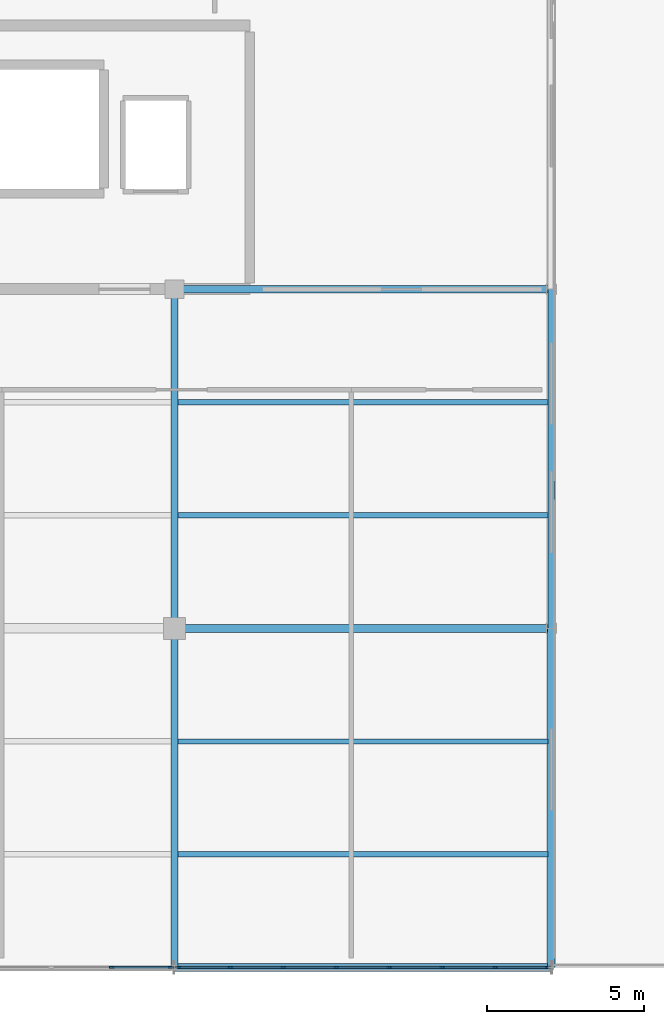
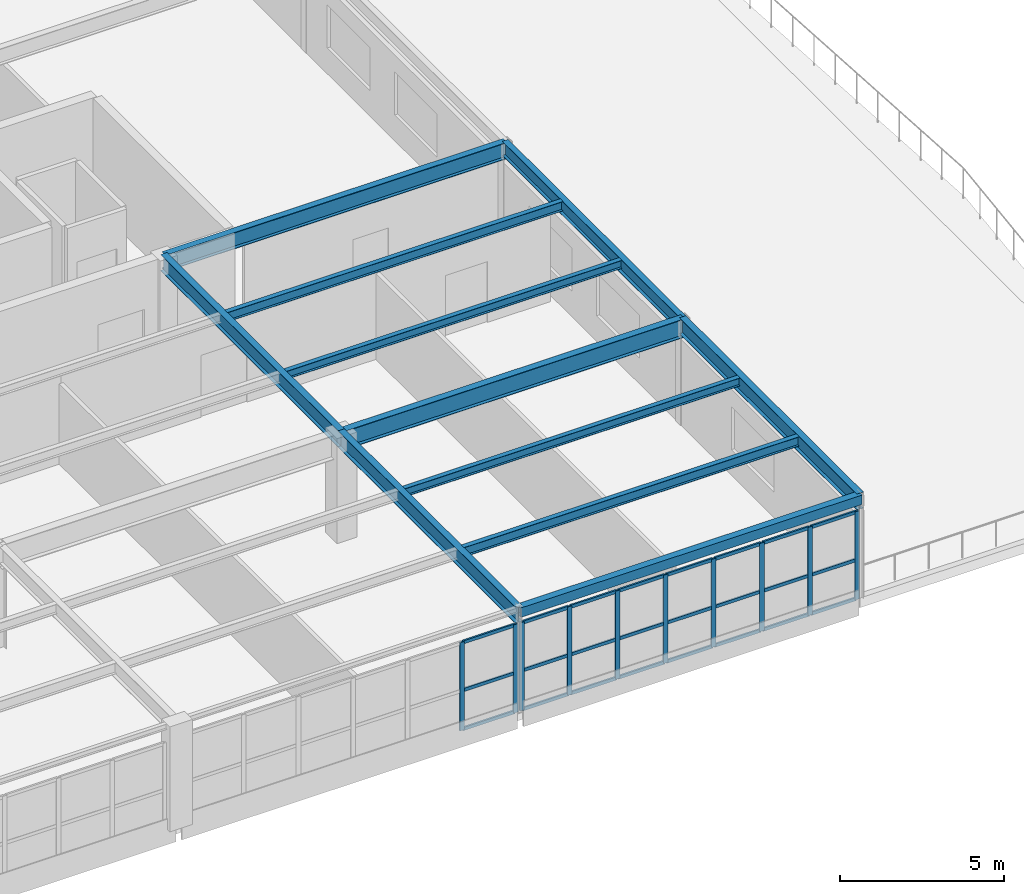
# One storey, part 55 of 128: 34 members, 11 beams, 2 elements without a shape of their own.
"""IFC4 building model written with IfcOpenShell, lengths in metres."""

from ifc_helpers import new_model, si_unit, direction, frame, origin, origin_2d, place, context, subcontext, project, spatial, rectangle, hollow_rectangle, i_section, extrude, material, layer, layer_set, material_profile, profile_set, type_object, element, aggregate, save


model = new_model("IFC4")

# Units and contexts
model_context = context("Model", 3, precision=1e-05, world=origin(), true_north=direction((0.0, 1.0)))
body_context = subcontext(model_context, "Body", "Model", "MODEL_VIEW")
ifc_project = project(units=[si_unit("LENGTHUNIT", "METRE"), si_unit("AREAUNIT", "SQUARE_METRE"), si_unit("VOLUMEUNIT", "CUBIC_METRE"), si_unit("PLANEANGLEUNIT", "RADIAN"), si_unit("MASSUNIT", "GRAM", prefix="KILO")], contexts=[model_context])

# Site, building, storey
site_placement = place(None, origin())
site = spatial("IfcSite", under=ifc_project, at=site_placement, CompositionType="ELEMENT")
building_placement = place(site_placement, origin())
building = spatial("IfcBuilding", under=site, at=building_placement, Name="Tarnwether General Hospital", CompositionType="ELEMENT")
storey_placement = place(building_placement, frame((0.0, 0.0, 14.39990234375)))
storey = spatial("IfcBuildingStorey", under=building, at=storey_placement, Name="L03", CompositionType="ELEMENT", Elevation=14.39990234375)

# Beams
ifc_material_1 = material(Name="Steel Grade 350 (350 MPa)", Category="steel")
ifc_material_profile_1 = material_profile(ifc_material_1, i_section(OverallWidth=0.25, OverallDepth=0.69189453125, WebThickness=0.009033203125, FlangeThickness=0.01611328125, at=origin_2d()), Name="700WB115")
ifc_profile_set_1 = profile_set([ifc_material_profile_1], Name="Steel Grade 350 (350 MPa)")
beam_type_1 = type_object("IfcBeamType", Name="BM-G02", PredefinedType="BEAM", material=ifc_profile_set_1)
beam_1_placement = place(storey_placement, frame((168.0, 10.800048828125, 3.55419921875), z_axis=(1.0, 0.0, 0.0), x_axis=(0.0, 1.0, 0.0)))
element("IfcBeam", 1, at=beam_1_placement, inside=storey, type_object=beam_type_1, Name="Primary Girder BMG-L03-16800_1080-18000_1080-1792", PredefinedType="BEAM", context=body_context, shape_type="SweptSolid", body=[
    extrude(i_section(OverallWidth=0.25, OverallDepth=0.69189453125, WebThickness=0.009033203125, FlangeThickness=0.01611328125, at=origin_2d()), origin(), (0.0, 0.0, 1.0), 12.0),
])
ifc_material_2 = material(Name="Steel Grade 350 (350 MPa)", Category="steel")
ifc_material_profile_2 = material_profile(ifc_material_2, i_section(OverallWidth=0.22900390625, OverallDepth=0.612060546875, WebThickness=0.011962890625, FlangeThickness=0.01953125, at=origin_2d()), Name="610UB125")
ifc_profile_set_2 = profile_set([ifc_material_profile_2], Name="Steel Grade 350 (350 MPa)")
beam_type_2 = type_object("IfcBeamType", Name="BM-G03", PredefinedType="BEAM", material=ifc_profile_set_2)
beam_2_placement = place(storey_placement, frame((168.0, 21.60009765625, 3.593994140625), z_axis=(1.0, 0.0, 0.0), x_axis=(0.0, 1.0, 0.0)))
element("IfcBeam", 2, at=beam_2_placement, inside=storey, type_object=beam_type_2, Name="Primary Girder BMG-L03-16800_2160-18000_2160-1794", PredefinedType="BEAM", context=body_context, shape_type="SweptSolid", body=[
    extrude(i_section(OverallWidth=0.22900390625, OverallDepth=0.612060546875, WebThickness=0.011962890625, FlangeThickness=0.01953125, at=origin_2d()), origin(), (0.0, 0.0, 1.0), 12.0),
])
ifc_material_3 = material(Name="Steel Grade 350 (350 MPa)", Category="steel")
ifc_material_profile_3 = material_profile(ifc_material_3, i_section(OverallWidth=0.22802734375, OverallDepth=0.60693359375, WebThickness=0.01123046875, FlangeThickness=0.017333984375, at=origin_2d()), Name="610UB113")
ifc_profile_set_3 = profile_set([ifc_material_profile_3], Name="Steel Grade 350 (350 MPa)")
beam_type_3 = type_object("IfcBeamType", Name="BM-G04", PredefinedType="BEAM", material=ifc_profile_set_3)
beam_3_placement = place(storey_placement, frame((168.0, 0.0, 3.5966796875), z_axis=(0.0, 1.0, 0.0), x_axis=(-1.0, 0.0, 0.0)))
element("IfcBeam", 3, at=beam_3_placement, inside=storey, type_object=beam_type_3, Name="Primary Girder BMG-L03-16800_0-16800_1080-1791", PredefinedType="BEAM", context=body_context, shape_type="SweptSolid", body=[
    extrude(i_section(OverallWidth=0.22802734375, OverallDepth=0.60693359375, WebThickness=0.01123046875, FlangeThickness=0.017333984375, at=origin_2d()), origin(), (0.0, 0.0, 1.0), 10.800048828125),
])
ifc_material_4 = material(Name="Steel Grade 350 (350 MPa)", Category="steel")
ifc_material_profile_4 = material_profile(ifc_material_4, i_section(OverallWidth=0.22802734375, OverallDepth=0.60205078125, WebThickness=0.010498046875, FlangeThickness=0.014892578125, at=origin_2d()), Name="610UB101")
ifc_profile_set_4 = profile_set([ifc_material_profile_4], Name="Steel Grade 350 (350 MPa)")
beam_type_4 = type_object("IfcBeamType", Name="BM-G05", PredefinedType="BEAM", material=ifc_profile_set_4)
for number, where, z_axis, x_axis, name in (
    (4, (168.0, 10.800048828125, 3.59912109375), (0.0, 1.0, 0.0), (-1.0, 0.0, 0.0), "Primary Girder BMG-L03-16800_1080-16800_2160-1793"),
    (5, (180.0, 0.0, 3.59912109375), (0.0, 1.0, 0.0), (-1.0, 0.0, 0.0), "Primary Girder BMG-L03-18000_0-18000_1080-1806"),
):
    element("IfcBeam", number, at=place(storey_placement, frame(where, z_axis=z_axis, x_axis=x_axis)), inside=storey, type_object=beam_type_4, Name=name, PredefinedType="BEAM", context=body_context, shape_type="SweptSolid", body=[
        extrude(i_section(OverallWidth=0.22802734375, OverallDepth=0.60205078125, WebThickness=0.010498046875, FlangeThickness=0.014892578125, at=origin_2d()), origin(), (0.0, 0.0, 1.0), 10.800048828125),
    ])
ifc_material_5 = material(Name="Steel Grade 350 (350 MPa)", Category="steel")
ifc_material_profile_5 = material_profile(ifc_material_5, i_section(OverallWidth=0.208984375, OverallDepth=0.532958984375, WebThickness=0.01025390625, FlangeThickness=0.015625, at=origin_2d()), Name="530UB92.4")
ifc_profile_set_5 = profile_set([ifc_material_profile_5], Name="Steel Grade 350 (350 MPa)")
beam_type_5 = type_object("IfcBeamType", Name="BM-G06", PredefinedType="BEAM", material=ifc_profile_set_5)
beam_4_placement = place(storey_placement, frame((180.0, 10.800048828125, 3.633544921875), z_axis=(0.0, 1.0, 0.0), x_axis=(-1.0, 0.0, 0.0)))
element("IfcBeam", 6, at=beam_4_placement, inside=storey, type_object=beam_type_5, Name="Primary Girder BMG-L03-18000_1080-18000_2160-1807", PredefinedType="BEAM", context=body_context, shape_type="SweptSolid", body=[
    extrude(i_section(OverallWidth=0.208984375, OverallDepth=0.532958984375, WebThickness=0.01025390625, FlangeThickness=0.015625, at=origin_2d()), origin(), (0.0, 0.0, 1.0), 10.800048828125),
])
ifc_material_6 = material(Name="Steel Grade 350 (350 MPa)", Category="steel")
ifc_material_profile_6 = material_profile(ifc_material_6, i_section(OverallWidth=0.1708984375, OverallDepth=0.35595703125, WebThickness=0.00732421875, FlangeThickness=0.011474609375, at=origin_2d()), Name="360UB50.7")
ifc_profile_set_6 = profile_set([ifc_material_profile_6], Name="Steel Grade 350 (350 MPa)")
beam_type_6 = type_object("IfcBeamType", Name="BM-J04", PredefinedType="JOIST", material=ifc_profile_set_6)
beam_5_placement = place(storey_placement, frame((168.10791015625, 3.60009765625, 3.72216796875), z_axis=(1.0, 0.0, 0.0), x_axis=(0.0, 1.0, 0.0)))
element("IfcBeam", 7, at=beam_5_placement, inside=storey, type_object=beam_type_6, Name="Composite Floor Joist BMG-L03-16811_360-17989_360-1842", PredefinedType="JOIST", context=body_context, shape_type="SweptSolid", body=[
    extrude(i_section(OverallWidth=0.1708984375, OverallDepth=0.35595703125, WebThickness=0.00732421875, FlangeThickness=0.011474609375, at=origin_2d()), origin(), (0.0, 0.0, 1.0), 11.7841796875),
])
ifc_material_7 = material(Name="Steel Grade 350 (350 MPa)", Category="steel")
ifc_material_profile_7 = material_profile(ifc_material_7, i_section(OverallWidth=0.166015625, OverallDepth=0.306884765625, WebThickness=0.006591796875, FlangeThickness=0.01171875, at=origin_2d()), Name="310UB46.2")
ifc_profile_set_7 = profile_set([ifc_material_profile_7], Name="Steel Grade 350 (350 MPa)")
beam_type_7 = type_object("IfcBeamType", Name="BM-J05", PredefinedType="JOIST", material=ifc_profile_set_7)
beam_6_placement = place(storey_placement, frame((168.10791015625, 7.199951171875, 3.74658203125), z_axis=(1.0, 0.0, 0.0), x_axis=(0.0, 1.0, 0.0)))
element("IfcBeam", 8, at=beam_6_placement, inside=storey, type_object=beam_type_7, Name="Composite Floor Joist BMG-L03-16811_720-17989_720-1843", PredefinedType="JOIST", context=body_context, shape_type="SweptSolid", body=[
    extrude(i_section(OverallWidth=0.166015625, OverallDepth=0.306884765625, WebThickness=0.006591796875, FlangeThickness=0.01171875, at=origin_2d()), origin(), (0.0, 0.0, 1.0), 11.7841796875),
])
beam_7_placement = place(storey_placement, frame((168.10791015625, 14.39990234375, 3.74658203125), z_axis=(1.0, 0.0, 0.0), x_axis=(0.0, 1.0, 0.0)))
element("IfcBeam", 9, at=beam_7_placement, inside=storey, type_object=beam_type_7, Name="Composite Floor Joist BMG-L03-16811_1440-17990_1440-1844", PredefinedType="JOIST", context=body_context, shape_type="SweptSolid", body=[
    extrude(i_section(OverallWidth=0.166015625, OverallDepth=0.306884765625, WebThickness=0.006591796875, FlangeThickness=0.01171875, at=origin_2d()), origin(), (0.0, 0.0, 1.0), 11.79296875),
])
ifc_material_8 = material(Name="Steel Grade 350 (350 MPa)", Category="steel")
ifc_material_profile_8 = material_profile(ifc_material_8, i_section(OverallWidth=0.1708984375, OverallDepth=0.35205078125, WebThickness=0.0068359375, FlangeThickness=0.009765625, at=origin_2d()), Name="360UB44.7")
ifc_profile_set_8 = profile_set([ifc_material_profile_8], Name="Steel Grade 350 (350 MPa)")
beam_type_8 = type_object("IfcBeamType", Name="BM-J06", PredefinedType="JOIST", material=ifc_profile_set_8)
beam_8_placement = place(storey_placement, frame((168.10791015625, 18.0, 3.72412109375), z_axis=(1.0, 0.0, 0.0), x_axis=(0.0, 1.0, 0.0)))
element("IfcBeam", 10, at=beam_8_placement, inside=storey, type_object=beam_type_8, Name="Composite Floor Joist BMG-L03-16811_1800-17990_1800-1845", PredefinedType="JOIST", context=body_context, shape_type="SweptSolid", body=[
    extrude(i_section(OverallWidth=0.1708984375, OverallDepth=0.35205078125, WebThickness=0.0068359375, FlangeThickness=0.009765625, at=origin_2d()), origin(), (0.0, 0.0, 1.0), 11.79296875),
])
ifc_material_9 = material(Name="Steel Grade C350L0 (350 MPa)", Category="steel")
ifc_material_profile_9 = material_profile(ifc_material_9, hollow_rectangle(XDim=0.25, YDim=0.35009765625, WallThickness=0.012451171875, at=origin_2d()), Name="RHS350x250x12.5")
ifc_profile_set_9 = profile_set([ifc_material_profile_9], Name="Steel Grade C350L0 (350 MPa)")
beam_type_9 = type_object("IfcBeamType", Name="BM-SP7", PredefinedType="SPANDREL", material=ifc_profile_set_9)
beam_9_placement = place(storey_placement, frame((168.0, 0.0, 3.72509765625), z_axis=(1.0, 0.0, 0.0), x_axis=(0.0, 1.0, 0.0)))
element("IfcBeam", 11, at=beam_9_placement, inside=storey, type_object=beam_type_9, Name="Primary Girder BMG-L03-16800_0-18000_0-1790", PredefinedType="SPANDREL", context=body_context, shape_type="SweptSolid", body=[
    extrude(hollow_rectangle(XDim=0.25, YDim=0.35009765625, WallThickness=0.012451171875, at=origin_2d()), origin(), (0.0, 0.0, 1.0), 12.0),
])

# Curtain wall, members
ifc_material_10 = material(Name="Anodised aluminium", Category="aluminium")
ifc_layer = layer(ifc_material_10, 0.159912109375)
ifc_layer_set = layer_set([ifc_layer], Name="Anodised aluminium")
curtain_wall_type = type_object("IfcCurtainWallType", Name="CW-19", PredefinedType="NOTDEFINED", material=ifc_layer_set)
curtain_wall_1_placement = place(storey_placement, origin())
curtain_wall_1 = element("IfcCurtainWall", 12, at=curtain_wall_1_placement, inside=storey, type_object=curtain_wall_type, Name="Curtain Wall CWG-L03-1799_0-0479", PredefinedType="NOTDEFINED")
ifc_material_11 = material(Name="Anodised aluminium", Category="aluminium")
ifc_material_profile_10 = material_profile(ifc_material_11, rectangle(XDim=0.06005859375, YDim=0.159912109375, at=origin_2d()), Name="ALU-MUL-60x160")
ifc_profile_set_10 = profile_set([ifc_material_profile_10], Name="Anodised aluminium")
member_type_1 = type_object("IfcMemberType", Name="CW-ML1", PredefinedType="MULLION", material=ifc_profile_set_10)
member_1_placement = place(storey_placement, frame((179.883056640625, 0.0, 0.0), z_axis=(0.0, 0.0, 1.0), x_axis=(0.0, -1.0, 0.0)))
member_1 = element("IfcMember", 13, at=member_1_placement, type_object=member_type_1, Name="CW-19 mullion 1", PredefinedType="MULLION", context=body_context, shape_type="SweptSolid", body=[
    extrude(rectangle(XDim=0.06005859375, YDim=0.159912109375, at=origin_2d()), origin(), (0.0, 0.0, 1.0), 3.278076171875),
])
member_2_placement = place(storey_placement, frame((178.222900390625, 0.0, 0.0), z_axis=(0.0, 0.0, 1.0), x_axis=(0.0, -1.0, 0.0)))
member_2 = element("IfcMember", 14, at=member_2_placement, type_object=member_type_1, Name="CW-19 mullion 2", PredefinedType="MULLION", context=body_context, shape_type="SweptSolid", body=[
    extrude(rectangle(XDim=0.06005859375, YDim=0.159912109375, at=origin_2d()), origin(), (0.0, 0.0, 1.0), 3.278076171875),
])
member_3_placement = place(storey_placement, frame((176.532958984375, 0.0, 0.0), z_axis=(0.0, 0.0, 1.0), x_axis=(0.0, -1.0, 0.0)))
member_3 = element("IfcMember", 15, at=member_3_placement, type_object=member_type_1, Name="CW-19 mullion 3", PredefinedType="MULLION", context=body_context, shape_type="SweptSolid", body=[
    extrude(rectangle(XDim=0.06005859375, YDim=0.159912109375, at=origin_2d()), origin(), (0.0, 0.0, 1.0), 3.278076171875),
])
member_4_placement = place(storey_placement, frame((174.843017578125, 0.0, 0.0), z_axis=(0.0, 0.0, 1.0), x_axis=(0.0, -1.0, 0.0)))
member_4 = element("IfcMember", 16, at=member_4_placement, type_object=member_type_1, Name="CW-19 mullion 4", PredefinedType="MULLION", context=body_context, shape_type="SweptSolid", body=[
    extrude(rectangle(XDim=0.06005859375, YDim=0.159912109375, at=origin_2d()), origin(), (0.0, 0.0, 1.0), 3.278076171875),
])
member_5_placement = place(storey_placement, frame((173.153076171875, 0.0, 0.0), z_axis=(0.0, 0.0, 1.0), x_axis=(0.0, -1.0, 0.0)))
member_5 = element("IfcMember", 17, at=member_5_placement, type_object=member_type_1, Name="CW-19 mullion 5", PredefinedType="MULLION", context=body_context, shape_type="SweptSolid", body=[
    extrude(rectangle(XDim=0.06005859375, YDim=0.159912109375, at=origin_2d()), origin(), (0.0, 0.0, 1.0), 3.278076171875),
])
member_6_placement = place(storey_placement, frame((171.462890625, 0.0, 0.0), z_axis=(0.0, 0.0, 1.0), x_axis=(0.0, -1.0, 0.0)))
member_6 = element("IfcMember", 18, at=member_6_placement, type_object=member_type_1, Name="CW-19 mullion 6", PredefinedType="MULLION", context=body_context, shape_type="SweptSolid", body=[
    extrude(rectangle(XDim=0.06005859375, YDim=0.159912109375, at=origin_2d()), origin(), (0.0, 0.0, 1.0), 3.278076171875),
])
member_7_placement = place(storey_placement, frame((169.77294921875, 0.0, 0.0), z_axis=(0.0, 0.0, 1.0), x_axis=(0.0, -1.0, 0.0)))
member_7 = element("IfcMember", 19, at=member_7_placement, type_object=member_type_1, Name="CW-19 mullion 7", PredefinedType="MULLION", context=body_context, shape_type="SweptSolid", body=[
    extrude(rectangle(XDim=0.06005859375, YDim=0.159912109375, at=origin_2d()), origin(), (0.0, 0.0, 1.0), 3.278076171875),
])
member_8_placement = place(storey_placement, frame((168.113037109375, 0.0, 0.0), z_axis=(0.0, 0.0, 1.0), x_axis=(0.0, -1.0, 0.0)))
member_8 = element("IfcMember", 20, at=member_8_placement, type_object=member_type_1, Name="CW-19 mullion 8", PredefinedType="MULLION", context=body_context, shape_type="SweptSolid", body=[
    extrude(rectangle(XDim=0.06005859375, YDim=0.159912109375, at=origin_2d()), origin(), (0.0, 0.0, 1.0), 3.278076171875),
])

curtain_wall_2_placement = place(storey_placement, origin())
curtain_wall_2 = element("IfcCurtainWall", 21, at=curtain_wall_2_placement, inside=storey, type_object=curtain_wall_type, Name="Curtain Wall CWG-L03-1679_0-0480", PredefinedType="NOTDEFINED")
member_9_placement = place(storey_placement, frame((167.886962890625, 0.0, 0.0), z_axis=(0.0, 0.0, 1.0), x_axis=(0.0, -1.0, 0.0)))
member_9 = element("IfcMember", 22, at=member_9_placement, type_object=member_type_1, Name="CW-19 mullion 1", PredefinedType="MULLION", context=body_context, shape_type="SweptSolid", body=[
    extrude(rectangle(XDim=0.06005859375, YDim=0.159912109375, at=origin_2d()), origin(), (0.0, 0.0, 1.0), 3.278076171875),
])
member_10_placement = place(storey_placement, frame((165.998779296875, 0.0, 0.0), z_axis=(0.0, 0.0, 1.0), x_axis=(0.0, -1.0, 0.0)))
member_10 = element("IfcMember", 23, at=member_10_placement, type_object=member_type_1, Name="CW-19 mullion 2", PredefinedType="MULLION", context=body_context, shape_type="SweptSolid", body=[
    extrude(rectangle(XDim=0.06005859375, YDim=0.159912109375, at=origin_2d()), origin(), (0.0, 0.0, 1.0), 3.278076171875),
])

# Member
ifc_material_12 = material(Name="Anodised aluminium", Category="aluminium")
ifc_material_profile_11 = material_profile(ifc_material_12, rectangle(XDim=0.06005859375, YDim=0.1201171875, at=origin_2d()), Name="ALU-TRN-60x120")
ifc_profile_set_11 = profile_set([ifc_material_profile_11], Name="Anodised aluminium")
member_type_2 = type_object("IfcMemberType", Name="CW-TR1", PredefinedType="USERDEFINED", material=ifc_profile_set_11)
member_11_placement = place(storey_placement, frame((179.85302734375, 0.0, 0.030029296875), z_axis=(-1.0, 0.0, 0.0), x_axis=(0.0, -1.0, 0.0)))
member_11 = element("IfcMember", 24, at=member_11_placement, type_object=member_type_2, Name="CW-19 transom 1.1", ObjectType="TRANSOM", PredefinedType="USERDEFINED", context=body_context, shape_type="SweptSolid", body=[
    extrude(rectangle(XDim=0.06005859375, YDim=0.1201171875, at=origin_2d()), origin(), (0.0, 0.0, 1.0), 1.60009765625),
])

member_12_placement = place(storey_placement, frame((179.85302734375, 0.0, 1.47509765625), z_axis=(-1.0, 0.0, 0.0), x_axis=(0.0, -1.0, 0.0)))
member_12 = element("IfcMember", 25, at=member_12_placement, type_object=member_type_2, Name="CW-19 transom 1.2", ObjectType="TRANSOM", PredefinedType="USERDEFINED", context=body_context, shape_type="SweptSolid", body=[
    extrude(rectangle(XDim=0.06005859375, YDim=0.1201171875, at=origin_2d()), origin(), (0.0, 0.0, 1.0), 1.60009765625),
])

member_13_placement = place(storey_placement, frame((179.85302734375, 0.0, 3.248046875), z_axis=(-1.0, 0.0, 0.0), x_axis=(0.0, -1.0, 0.0)))
member_13 = element("IfcMember", 26, at=member_13_placement, type_object=member_type_2, Name="CW-19 transom 1.3", ObjectType="TRANSOM", PredefinedType="USERDEFINED", context=body_context, shape_type="SweptSolid", body=[
    extrude(rectangle(XDim=0.06005859375, YDim=0.1201171875, at=origin_2d()), origin(), (0.0, 0.0, 1.0), 1.60009765625),
])

member_14_placement = place(storey_placement, frame((178.193115234375, 0.0, 0.030029296875), z_axis=(-1.0, 0.0, 0.0), x_axis=(0.0, -1.0, 0.0)))
member_14 = element("IfcMember", 27, at=member_14_placement, type_object=member_type_2, Name="CW-19 transom 2.1", ObjectType="TRANSOM", PredefinedType="USERDEFINED", context=body_context, shape_type="SweptSolid", body=[
    extrude(rectangle(XDim=0.06005859375, YDim=0.1201171875, at=origin_2d()), origin(), (0.0, 0.0, 1.0), 1.630126953125),
])

member_15_placement = place(storey_placement, frame((178.193115234375, 0.0, 1.47509765625), z_axis=(-1.0, 0.0, 0.0), x_axis=(0.0, -1.0, 0.0)))
member_15 = element("IfcMember", 28, at=member_15_placement, type_object=member_type_2, Name="CW-19 transom 2.2", ObjectType="TRANSOM", PredefinedType="USERDEFINED", context=body_context, shape_type="SweptSolid", body=[
    extrude(rectangle(XDim=0.06005859375, YDim=0.1201171875, at=origin_2d()), origin(), (0.0, 0.0, 1.0), 1.630126953125),
])

member_16_placement = place(storey_placement, frame((178.193115234375, 0.0, 3.248046875), z_axis=(-1.0, 0.0, 0.0), x_axis=(0.0, -1.0, 0.0)))
member_16 = element("IfcMember", 29, at=member_16_placement, type_object=member_type_2, Name="CW-19 transom 2.3", ObjectType="TRANSOM", PredefinedType="USERDEFINED", context=body_context, shape_type="SweptSolid", body=[
    extrude(rectangle(XDim=0.06005859375, YDim=0.1201171875, at=origin_2d()), origin(), (0.0, 0.0, 1.0), 1.630126953125),
])

member_17_placement = place(storey_placement, frame((176.5029296875, 0.0, 0.030029296875), z_axis=(-1.0, 0.0, 0.0), x_axis=(0.0, -1.0, 0.0)))
member_17 = element("IfcMember", 30, at=member_17_placement, type_object=member_type_2, Name="CW-19 transom 3.1", ObjectType="TRANSOM", PredefinedType="USERDEFINED", context=body_context, shape_type="SweptSolid", body=[
    extrude(rectangle(XDim=0.06005859375, YDim=0.1201171875, at=origin_2d()), origin(), (0.0, 0.0, 1.0), 1.6298828125),
])

member_18_placement = place(storey_placement, frame((176.5029296875, 0.0, 1.47509765625), z_axis=(-1.0, 0.0, 0.0), x_axis=(0.0, -1.0, 0.0)))
member_18 = element("IfcMember", 31, at=member_18_placement, type_object=member_type_2, Name="CW-19 transom 3.2", ObjectType="TRANSOM", PredefinedType="USERDEFINED", context=body_context, shape_type="SweptSolid", body=[
    extrude(rectangle(XDim=0.06005859375, YDim=0.1201171875, at=origin_2d()), origin(), (0.0, 0.0, 1.0), 1.6298828125),
])

member_19_placement = place(storey_placement, frame((176.5029296875, 0.0, 3.248046875), z_axis=(-1.0, 0.0, 0.0), x_axis=(0.0, -1.0, 0.0)))
member_19 = element("IfcMember", 32, at=member_19_placement, type_object=member_type_2, Name="CW-19 transom 3.3", ObjectType="TRANSOM", PredefinedType="USERDEFINED", context=body_context, shape_type="SweptSolid", body=[
    extrude(rectangle(XDim=0.06005859375, YDim=0.1201171875, at=origin_2d()), origin(), (0.0, 0.0, 1.0), 1.6298828125),
])

member_20_placement = place(storey_placement, frame((174.81298828125, 0.0, 0.030029296875), z_axis=(-1.0, 0.0, 0.0), x_axis=(0.0, -1.0, 0.0)))
member_20 = element("IfcMember", 33, at=member_20_placement, type_object=member_type_2, Name="CW-19 transom 4.1", ObjectType="TRANSOM", PredefinedType="USERDEFINED", context=body_context, shape_type="SweptSolid", body=[
    extrude(rectangle(XDim=0.06005859375, YDim=0.1201171875, at=origin_2d()), origin(), (0.0, 0.0, 1.0), 1.6298828125),
])

member_21_placement = place(storey_placement, frame((174.81298828125, 0.0, 1.47509765625), z_axis=(-1.0, 0.0, 0.0), x_axis=(0.0, -1.0, 0.0)))
member_21 = element("IfcMember", 34, at=member_21_placement, type_object=member_type_2, Name="CW-19 transom 4.2", ObjectType="TRANSOM", PredefinedType="USERDEFINED", context=body_context, shape_type="SweptSolid", body=[
    extrude(rectangle(XDim=0.06005859375, YDim=0.1201171875, at=origin_2d()), origin(), (0.0, 0.0, 1.0), 1.6298828125),
])

member_22_placement = place(storey_placement, frame((174.81298828125, 0.0, 3.248046875), z_axis=(-1.0, 0.0, 0.0), x_axis=(0.0, -1.0, 0.0)))
member_22 = element("IfcMember", 35, at=member_22_placement, type_object=member_type_2, Name="CW-19 transom 4.3", ObjectType="TRANSOM", PredefinedType="USERDEFINED", context=body_context, shape_type="SweptSolid", body=[
    extrude(rectangle(XDim=0.06005859375, YDim=0.1201171875, at=origin_2d()), origin(), (0.0, 0.0, 1.0), 1.6298828125),
])

member_23_placement = place(storey_placement, frame((173.123046875, 0.0, 0.030029296875), z_axis=(-1.0, 0.0, 0.0), x_axis=(0.0, -1.0, 0.0)))
member_23 = element("IfcMember", 36, at=member_23_placement, type_object=member_type_2, Name="CW-19 transom 5.1", ObjectType="TRANSOM", PredefinedType="USERDEFINED", context=body_context, shape_type="SweptSolid", body=[
    extrude(rectangle(XDim=0.06005859375, YDim=0.1201171875, at=origin_2d()), origin(), (0.0, 0.0, 1.0), 1.630126953125),
])

member_24_placement = place(storey_placement, frame((173.123046875, 0.0, 1.47509765625), z_axis=(-1.0, 0.0, 0.0), x_axis=(0.0, -1.0, 0.0)))
member_24 = element("IfcMember", 37, at=member_24_placement, type_object=member_type_2, Name="CW-19 transom 5.2", ObjectType="TRANSOM", PredefinedType="USERDEFINED", context=body_context, shape_type="SweptSolid", body=[
    extrude(rectangle(XDim=0.06005859375, YDim=0.1201171875, at=origin_2d()), origin(), (0.0, 0.0, 1.0), 1.630126953125),
])

member_25_placement = place(storey_placement, frame((173.123046875, 0.0, 3.248046875), z_axis=(-1.0, 0.0, 0.0), x_axis=(0.0, -1.0, 0.0)))
member_25 = element("IfcMember", 38, at=member_25_placement, type_object=member_type_2, Name="CW-19 transom 5.3", ObjectType="TRANSOM", PredefinedType="USERDEFINED", context=body_context, shape_type="SweptSolid", body=[
    extrude(rectangle(XDim=0.06005859375, YDim=0.1201171875, at=origin_2d()), origin(), (0.0, 0.0, 1.0), 1.630126953125),
])

member_26_placement = place(storey_placement, frame((171.43310546875, 0.0, 0.030029296875), z_axis=(-1.0, 0.0, 0.0), x_axis=(0.0, -1.0, 0.0)))
member_26 = element("IfcMember", 39, at=member_26_placement, type_object=member_type_2, Name="CW-19 transom 6.1", ObjectType="TRANSOM", PredefinedType="USERDEFINED", context=body_context, shape_type="SweptSolid", body=[
    extrude(rectangle(XDim=0.06005859375, YDim=0.1201171875, at=origin_2d()), origin(), (0.0, 0.0, 1.0), 1.630126953125),
])

member_27_placement = place(storey_placement, frame((171.43310546875, 0.0, 1.47509765625), z_axis=(-1.0, 0.0, 0.0), x_axis=(0.0, -1.0, 0.0)))
member_27 = element("IfcMember", 40, at=member_27_placement, type_object=member_type_2, Name="CW-19 transom 6.2", ObjectType="TRANSOM", PredefinedType="USERDEFINED", context=body_context, shape_type="SweptSolid", body=[
    extrude(rectangle(XDim=0.06005859375, YDim=0.1201171875, at=origin_2d()), origin(), (0.0, 0.0, 1.0), 1.630126953125),
])

member_28_placement = place(storey_placement, frame((171.43310546875, 0.0, 3.248046875), z_axis=(-1.0, 0.0, 0.0), x_axis=(0.0, -1.0, 0.0)))
member_28 = element("IfcMember", 41, at=member_28_placement, type_object=member_type_2, Name="CW-19 transom 6.3", ObjectType="TRANSOM", PredefinedType="USERDEFINED", context=body_context, shape_type="SweptSolid", body=[
    extrude(rectangle(XDim=0.06005859375, YDim=0.1201171875, at=origin_2d()), origin(), (0.0, 0.0, 1.0), 1.630126953125),
])

member_29_placement = place(storey_placement, frame((169.742919921875, 0.0, 0.030029296875), z_axis=(-1.0, 0.0, 0.0), x_axis=(0.0, -1.0, 0.0)))
member_29 = element("IfcMember", 42, at=member_29_placement, type_object=member_type_2, Name="CW-19 transom 7.1", ObjectType="TRANSOM", PredefinedType="USERDEFINED", context=body_context, shape_type="SweptSolid", body=[
    extrude(rectangle(XDim=0.06005859375, YDim=0.1201171875, at=origin_2d()), origin(), (0.0, 0.0, 1.0), 1.599853515625),
])

member_30_placement = place(storey_placement, frame((169.742919921875, 0.0, 1.47509765625), z_axis=(-1.0, 0.0, 0.0), x_axis=(0.0, -1.0, 0.0)))
member_30 = element("IfcMember", 43, at=member_30_placement, type_object=member_type_2, Name="CW-19 transom 7.2", ObjectType="TRANSOM", PredefinedType="USERDEFINED", context=body_context, shape_type="SweptSolid", body=[
    extrude(rectangle(XDim=0.06005859375, YDim=0.1201171875, at=origin_2d()), origin(), (0.0, 0.0, 1.0), 1.599853515625),
])

member_31_placement = place(storey_placement, frame((169.742919921875, 0.0, 3.248046875), z_axis=(-1.0, 0.0, 0.0), x_axis=(0.0, -1.0, 0.0)))
member_31 = element("IfcMember", 44, at=member_31_placement, type_object=member_type_2, Name="CW-19 transom 7.3", ObjectType="TRANSOM", PredefinedType="USERDEFINED", context=body_context, shape_type="SweptSolid", body=[
    extrude(rectangle(XDim=0.06005859375, YDim=0.1201171875, at=origin_2d()), origin(), (0.0, 0.0, 1.0), 1.599853515625),
])

aggregate(curtain_wall_1, [member_1, member_2, member_3, member_4, member_5, member_6, member_7, member_8, member_11, member_12, member_13, member_14, member_15, member_16, member_17, member_18, member_19, member_20, member_21, member_22, member_23, member_24, member_25, member_26, member_27, member_28, member_29, member_30, member_31])

member_32_placement = place(storey_placement, frame((167.85693359375, 0.0, 0.030029296875), z_axis=(-1.0, 0.0, 0.0), x_axis=(0.0, -1.0, 0.0)))
member_32 = element("IfcMember", 45, at=member_32_placement, type_object=member_type_2, Name="CW-19 transom 1.1", ObjectType="TRANSOM", PredefinedType="USERDEFINED", context=body_context, shape_type="SweptSolid", body=[
    extrude(rectangle(XDim=0.06005859375, YDim=0.1201171875, at=origin_2d()), origin(), (0.0, 0.0, 1.0), 1.828125),
])

member_33_placement = place(storey_placement, frame((167.85693359375, 0.0, 1.47509765625), z_axis=(-1.0, 0.0, 0.0), x_axis=(0.0, -1.0, 0.0)))
member_33 = element("IfcMember", 46, at=member_33_placement, type_object=member_type_2, Name="CW-19 transom 1.2", ObjectType="TRANSOM", PredefinedType="USERDEFINED", context=body_context, shape_type="SweptSolid", body=[
    extrude(rectangle(XDim=0.06005859375, YDim=0.1201171875, at=origin_2d()), origin(), (0.0, 0.0, 1.0), 1.828125),
])

member_34_placement = place(storey_placement, frame((167.85693359375, 0.0, 3.248046875), z_axis=(-1.0, 0.0, 0.0), x_axis=(0.0, -1.0, 0.0)))
member_34 = element("IfcMember", 47, at=member_34_placement, type_object=member_type_2, Name="CW-19 transom 1.3", ObjectType="TRANSOM", PredefinedType="USERDEFINED", context=body_context, shape_type="SweptSolid", body=[
    extrude(rectangle(XDim=0.06005859375, YDim=0.1201171875, at=origin_2d()), origin(), (0.0, 0.0, 1.0), 1.828125),
])

aggregate(curtain_wall_2, [member_9, member_10, member_32, member_33, member_34])

save(model, "model.ifc")
